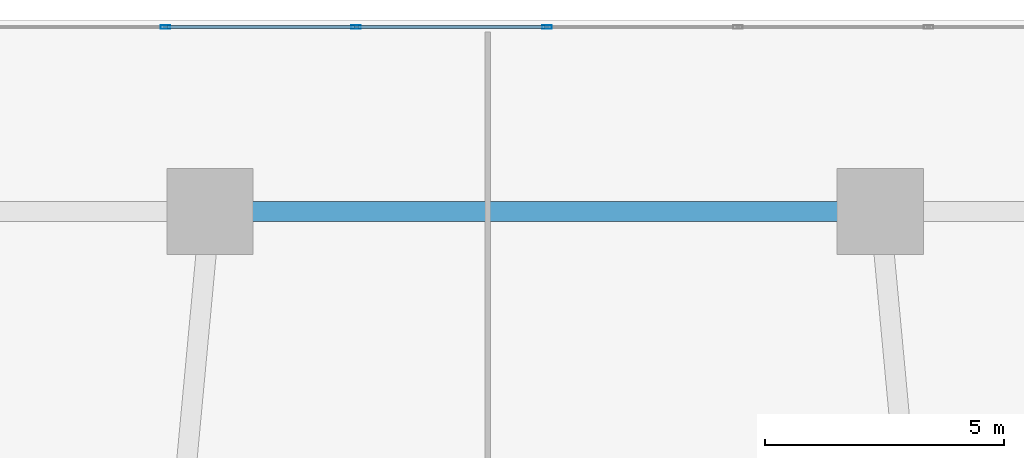
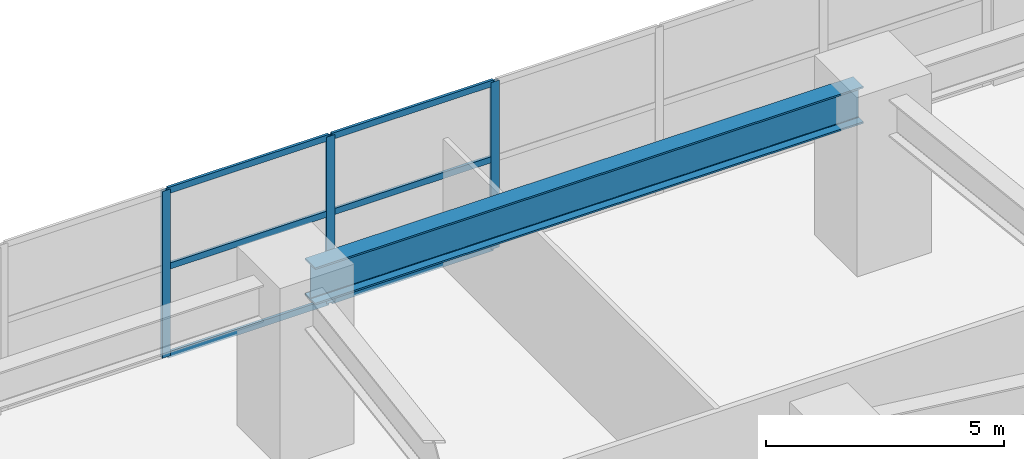
# One storey, part 7 of 20: 9 members, 1 beam, 1 element without a shape of its own.
"""IFC4 building model written with IfcOpenShell, lengths in metres."""

from ifc_helpers import new_model, si_unit, direction, frame, origin, origin_2d, place, context, subcontext, project, spatial, hollow_rectangle, i_section, extrude, material, layer, layer_set, material_profile, profile_set, type_object, element, aggregate, save


model = new_model("IFC4")

# Units and contexts
model_context = context("Model", 3, precision=1e-05, world=origin(), true_north=direction((0.0, 1.0)))
body_context = subcontext(model_context, "Body", "Model", "MODEL_VIEW")
ifc_project = project(units=[si_unit("LENGTHUNIT", "METRE"), si_unit("AREAUNIT", "SQUARE_METRE"), si_unit("VOLUMEUNIT", "CUBIC_METRE"), si_unit("PLANEANGLEUNIT", "RADIAN"), si_unit("MASSUNIT", "GRAM", prefix="KILO")], contexts=[model_context])

# Site, building, storey
site_placement = place(None, origin())
site = spatial("IfcSite", under=ifc_project, at=site_placement, CompositionType="ELEMENT")
building_placement = place(site_placement, origin())
building = spatial("IfcBuilding", under=site, at=building_placement, Name="Solvane Sanctuary Tower", CompositionType="ELEMENT")
storey_placement = place(building_placement, frame((0.0, 0.0, 9.199951171875)))
storey = spatial("IfcBuildingStorey", under=building, at=storey_placement, Name="L03", CompositionType="ELEMENT", Elevation=9.199951171875)

# Beam
ifc_material_1 = material(Name="Steel ASTM A913 Grade 65", Category="steel")
ifc_material_profile_1 = material_profile(ifc_material_1, i_section(OverallWidth=0.423095703125, OverallDepth=0.947998046875, WebThickness=0.02392578125, FlangeThickness=0.042724609375, FilletRadius=0.02392578125, at=origin_2d()), Name="W36X302")
ifc_profile_set_1 = profile_set([ifc_material_profile_1], Name="Steel ASTM A913 Grade 65")
beam_type = type_object("IfcBeamType", Name="Beam B-POD-GIRD W36X302", PredefinedType="BEAM", material=ifc_profile_set_1)
beam_placement = place(storey_placement, frame((38.64990234375, 42.0, 3.803955078125), z_axis=(-1.0, 0.0, 0.0), x_axis=(0.0, -1.0, 0.0)))
element("IfcBeam", 1, at=beam_placement, inside=storey, type_object=beam_type, Name="L03 Podium Primary Girder PG6", PredefinedType="BEAM", context=body_context, shape_type="SweptSolid", body=[
    extrude(i_section(OverallWidth=0.423095703125, OverallDepth=0.947998046875, WebThickness=0.02392578125, FlangeThickness=0.042724609375, FilletRadius=0.02392578125, at=origin_2d()), origin(), (0.0, 0.0, 1.0), 13.2998046875),
])

# Curtain wall, members
ifc_material_2 = material(Name="Anodised Aluminium 6063-T6", Category="aluminium")
ifc_layer = layer(ifc_material_2, 0.159912109375, Name="Anodised Aluminium 6063-T6")
ifc_layer_set = layer_set([ifc_layer], Name="Anodised Aluminium 6063-T6")
curtain_wall_type = type_object("IfcCurtainWallType", Name="Curtain Wall CW-POD", PredefinedType="NOTDEFINED", material=ifc_layer_set)
curtain_wall_placement = place(storey_placement, origin())
curtain_wall = element("IfcCurtainWall", 2, at=curtain_wall_placement, inside=storey, type_object=curtain_wall_type, Name="L03 Sanctuary Curtain Wall N2", PredefinedType="NOTDEFINED")
ifc_material_profile_2 = material_profile(ifc_material_2, hollow_rectangle(XDim=0.074951171875, YDim=0.199951171875, WallThickness=0.00390625, at=origin_2d()), Name="ALU200X75X4")
ifc_profile_set_2 = profile_set([ifc_material_profile_2], Name="Anodised Aluminium 6063-T6")
member_type_1 = type_object("IfcMemberType", Name="Member M-CW-MUL-1 ALU200X75X4", PredefinedType="MULLION", material=ifc_profile_set_2)
member_1_placement = place(storey_placement, frame((32.0400390625, 45.85009765625, 0.0), z_axis=(0.0, 0.0, 1.0), x_axis=(0.0, -1.0, 0.0)))
member_1 = element("IfcMember", 3, at=member_1_placement, type_object=member_type_1, Name="CW-POD mullion 4", PredefinedType="MULLION", context=body_context, shape_type="SweptSolid", body=[
    extrude(hollow_rectangle(XDim=0.074951171875, YDim=0.199951171875, WallThickness=0.00390625, at=origin_2d()), origin(), (0.0, 0.0, 1.0), 4.280029296875),
])
member_2_placement = place(storey_placement, frame((28.05322265625, 45.85009765625, 0.0), z_axis=(0.0, 0.0, 1.0), x_axis=(0.0, -1.0, 0.0)))
member_2 = element("IfcMember", 4, at=member_2_placement, type_object=member_type_1, Name="CW-POD mullion 5", PredefinedType="MULLION", context=body_context, shape_type="SweptSolid", body=[
    extrude(hollow_rectangle(XDim=0.074951171875, YDim=0.199951171875, WallThickness=0.00390625, at=origin_2d()), origin(), (0.0, 0.0, 1.0), 4.280029296875),
])
member_3_placement = place(storey_placement, frame((24.066650390625, 45.85009765625, 0.0), z_axis=(0.0, 0.0, 1.0), x_axis=(0.0, -1.0, 0.0)))
member_3 = element("IfcMember", 5, at=member_3_placement, type_object=member_type_1, Name="CW-POD mullion 6", PredefinedType="MULLION", context=body_context, shape_type="SweptSolid", body=[
    extrude(hollow_rectangle(XDim=0.074951171875, YDim=0.199951171875, WallThickness=0.00390625, at=origin_2d()), origin(), (0.0, 0.0, 1.0), 4.280029296875),
])
ifc_material_profile_3 = material_profile(ifc_material_2, hollow_rectangle(XDim=0.06494140625, YDim=0.159912109375, WallThickness=0.00341796875, at=origin_2d()), Name="ALU160X65X3.5")
ifc_profile_set_3 = profile_set([ifc_material_profile_3], Name="Anodised Aluminium 6063-T6")
member_type_2 = type_object("IfcMemberType", Name="Member M-CW-TRN-1 ALU160X65X3.5", PredefinedType="USERDEFINED", material=ifc_profile_set_3)
member_4_placement = place(storey_placement, frame((32.00244140625, 45.85009765625, 0.032470703125), z_axis=(-1.0, 0.0, 0.0), x_axis=(0.0, -1.0, 0.0)))
member_4 = element("IfcMember", 6, at=member_4_placement, type_object=member_type_2, Name="CW-POD transom 4.1", ObjectType="TRANSOM", PredefinedType="USERDEFINED", context=body_context, shape_type="SweptSolid", body=[
    extrude(hollow_rectangle(XDim=0.06494140625, YDim=0.159912109375, WallThickness=0.00341796875, at=origin_2d()), origin(), (0.0, 0.0, 1.0), 3.91162109375),
])
member_5_placement = place(storey_placement, frame((32.00244140625, 45.85009765625, 2.300048828125), z_axis=(-1.0, 0.0, 0.0), x_axis=(0.0, -1.0, 0.0)))
member_5 = element("IfcMember", 7, at=member_5_placement, type_object=member_type_2, Name="CW-POD transom 4.2", ObjectType="TRANSOM", PredefinedType="USERDEFINED", context=body_context, shape_type="SweptSolid", body=[
    extrude(hollow_rectangle(XDim=0.06494140625, YDim=0.159912109375, WallThickness=0.00341796875, at=origin_2d()), origin(), (0.0, 0.0, 1.0), 3.91162109375),
])
member_6_placement = place(storey_placement, frame((32.00244140625, 45.85009765625, 4.24755859375), z_axis=(-1.0, 0.0, 0.0), x_axis=(0.0, -1.0, 0.0)))
member_6 = element("IfcMember", 8, at=member_6_placement, type_object=member_type_2, Name="CW-POD transom 4.3", ObjectType="TRANSOM", PredefinedType="USERDEFINED", context=body_context, shape_type="SweptSolid", body=[
    extrude(hollow_rectangle(XDim=0.06494140625, YDim=0.159912109375, WallThickness=0.00341796875, at=origin_2d()), origin(), (0.0, 0.0, 1.0), 3.91162109375),
])
member_7_placement = place(storey_placement, frame((28.015869140625, 45.85009765625, 0.032470703125), z_axis=(-1.0, 0.0, 0.0), x_axis=(0.0, -1.0, 0.0)))
member_7 = element("IfcMember", 9, at=member_7_placement, type_object=member_type_2, Name="CW-POD transom 5.1", ObjectType="TRANSOM", PredefinedType="USERDEFINED", context=body_context, shape_type="SweptSolid", body=[
    extrude(hollow_rectangle(XDim=0.06494140625, YDim=0.159912109375, WallThickness=0.00341796875, at=origin_2d()), origin(), (0.0, 0.0, 1.0), 3.91162109375),
])
member_8_placement = place(storey_placement, frame((28.015869140625, 45.85009765625, 2.300048828125), z_axis=(-1.0, 0.0, 0.0), x_axis=(0.0, -1.0, 0.0)))
member_8 = element("IfcMember", 10, at=member_8_placement, type_object=member_type_2, Name="CW-POD transom 5.2", ObjectType="TRANSOM", PredefinedType="USERDEFINED", context=body_context, shape_type="SweptSolid", body=[
    extrude(hollow_rectangle(XDim=0.06494140625, YDim=0.159912109375, WallThickness=0.00341796875, at=origin_2d()), origin(), (0.0, 0.0, 1.0), 3.91162109375),
])
member_9_placement = place(storey_placement, frame((28.015869140625, 45.85009765625, 4.24755859375), z_axis=(-1.0, 0.0, 0.0), x_axis=(0.0, -1.0, 0.0)))
member_9 = element("IfcMember", 11, at=member_9_placement, type_object=member_type_2, Name="CW-POD transom 5.3", ObjectType="TRANSOM", PredefinedType="USERDEFINED", context=body_context, shape_type="SweptSolid", body=[
    extrude(hollow_rectangle(XDim=0.06494140625, YDim=0.159912109375, WallThickness=0.00341796875, at=origin_2d()), origin(), (0.0, 0.0, 1.0), 3.91162109375),
])
aggregate(curtain_wall, [member_1, member_2, member_3, member_4, member_5, member_6, member_7, member_8, member_9])

save(model, "model.ifc")
